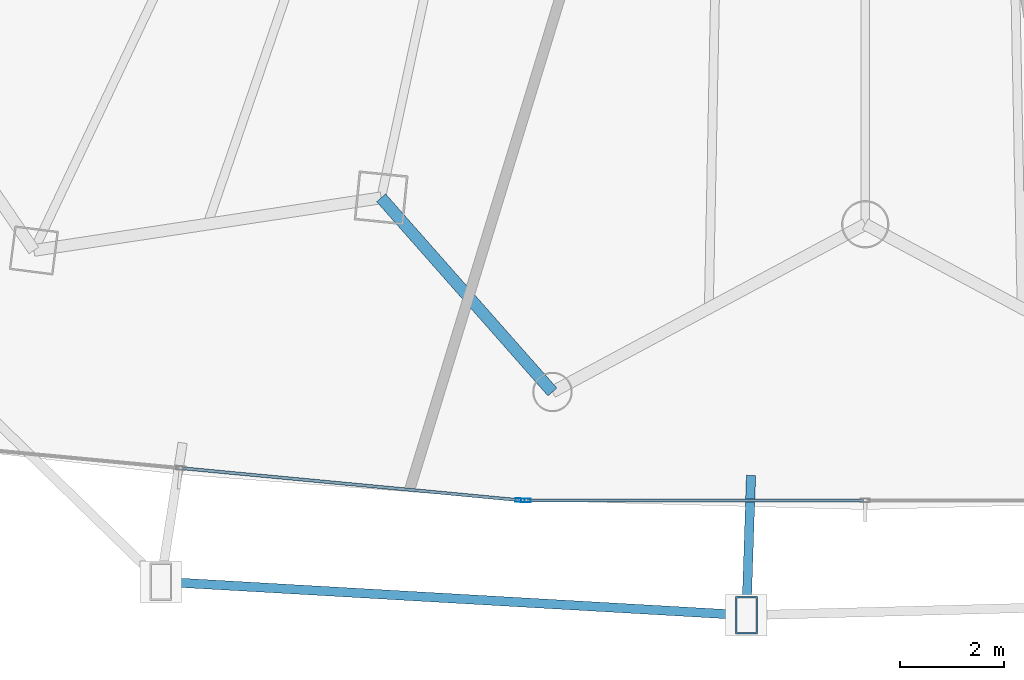
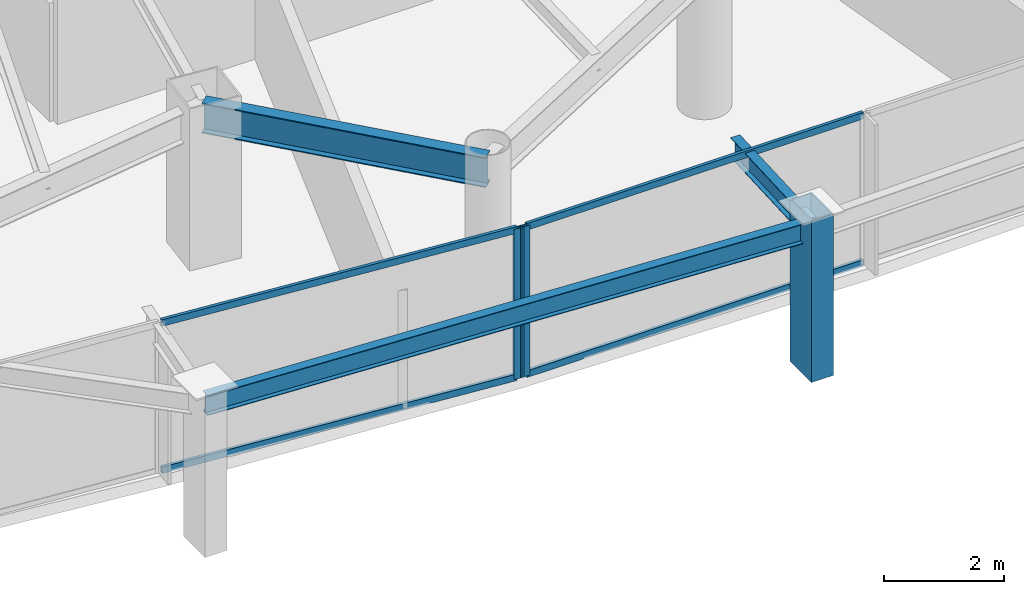
# One storey, part 6 of 38: 7 members, 3 beams, 2 elements without a shape of their own.
"""IFC4 building model written with IfcOpenShell, lengths in metres."""

from ifc_helpers import new_model, si_unit, direction, frame, origin, origin_2d, place, context, subcontext, project, spatial, hollow_rectangle, i_section, extrude, material, layer, layer_set, material_profile, profile_set, type_object, element, aggregate, save


model = new_model("IFC4")

# Units and contexts
model_context = context("Model", 3, precision=1e-05, world=origin(), true_north=direction((0.0, 1.0)))
body_context = subcontext(model_context, "Body", "Model", "MODEL_VIEW")
ifc_project = project(units=[si_unit("LENGTHUNIT", "METRE"), si_unit("AREAUNIT", "SQUARE_METRE"), si_unit("VOLUMEUNIT", "CUBIC_METRE"), si_unit("PLANEANGLEUNIT", "RADIAN"), si_unit("MASSUNIT", "GRAM", prefix="KILO")], contexts=[model_context])

# Site, building, storey
site_placement = place(None, origin())
site = spatial("IfcSite", under=ifc_project, at=site_placement, CompositionType="ELEMENT")
building_placement = place(site_placement, origin())
building = spatial("IfcBuilding", under=site, at=building_placement, Name="Orvanel Arch Residences", CompositionType="ELEMENT")
storey_placement = place(building_placement, frame((0.0, 0.0, 50.0)))
storey = spatial("IfcBuildingStorey", under=building, at=storey_placement, Name="L13", CompositionType="ELEMENT", Elevation=50.0)

# Member
ifc_material_1 = material(Name="Structural steel AS/NZS 3678 Grade 350", Category="steel")
ifc_material_profile_1 = material_profile(ifc_material_1, hollow_rectangle(XDim=0.419921875, YDim=0.719970703125, WallThickness=0.02490234375, at=origin_2d()), Name="RHS720x420x25")
ifc_profile_set_1 = profile_set([ifc_material_profile_1], Name="Structural steel AS/NZS 3678 Grade 350")
member_type_1 = type_object("IfcMemberType", Name="CH-720RHS-EXT", PredefinedType="CHORD", material=ifc_profile_set_1)
member_1_placement = place(storey_placement, frame((30.7041015625, -0.7080078125, 0.0), z_axis=(0.0, 0.0, 1.0), x_axis=(1.0, 0.0, 0.0)))
element("IfcMember", 1, at=member_1_placement, inside=storey, type_object=member_type_1, Name="L13 Outer Perimeter Frame Post 06", PredefinedType="CHORD", context=body_context, shape_type="SweptSolid", body=[
    extrude(hollow_rectangle(XDim=0.419921875, YDim=0.719970703125, WallThickness=0.02490234375, at=origin_2d()), origin(), (0.0, 0.0, 1.0), 3.300048828125),
])

# Curtain wall, member
ifc_material_2 = material(Name="Bronze-anodised aluminium AA6063-T6", Category="aluminium")
ifc_layer = layer(ifc_material_2, 0.179931640625)
ifc_layer_set = layer_set([ifc_layer], Name="Bronze-anodised aluminium AA6063-T6")
curtain_wall_type = type_object("IfcCurtainWallType", Name="CW2-LOW-SYS", PredefinedType="NOTDEFINED", material=ifc_layer_set)
curtain_wall_1_placement = place(storey_placement, origin())
curtain_wall_1 = element("IfcCurtainWall", 2, at=curtain_wall_1_placement, inside=storey, type_object=curtain_wall_type, Name="L13 CW2-LOW-SYS Unitised Curtain Wall", PredefinedType="NOTDEFINED")
ifc_material_profile_2 = material_profile(ifc_material_2, hollow_rectangle(XDim=0.070068359375, YDim=0.179931640625, WallThickness=0.00439453125, at=origin_2d()), Name="ALU180x70x4.5")
ifc_profile_set_2 = profile_set([ifc_material_profile_2], Name="Bronze-anodised aluminium AA6063-T6")
member_type_2 = type_object("IfcMemberType", Name="MUL-180x70", PredefinedType="MULLION", material=ifc_profile_set_2)
member_2_placement = place(storey_placement, frame((26.334228515625, 1.51318359375, 0.0), z_axis=(0.0, 0.0, 1.0), x_axis=(0.094246004419, 0.995548939355, 0.0)))
member_2 = element("IfcMember", 3, at=member_2_placement, type_object=member_type_2, Name="CW-S2 mullion 3", PredefinedType="MULLION", context=body_context, shape_type="SweptSolid", body=[
    extrude(hollow_rectangle(XDim=0.070068359375, YDim=0.179931640625, WallThickness=0.00439453125, at=origin_2d()), origin(), (0.0, 0.0, 1.0), 3.06005859375),
])

curtain_wall_2_placement = place(storey_placement, origin())
curtain_wall_2 = element("IfcCurtainWall", 4, at=curtain_wall_2_placement, inside=storey, type_object=curtain_wall_type, Name="L13 CW2-LOW-SYS Unitised Curtain Wall", PredefinedType="NOTDEFINED")
member_3_placement = place(storey_placement, frame((26.444091796875, 1.508056640625, 0.0), z_axis=(0.0, 0.0, 1.0), x_axis=(0.0, 1.0, 0.0)))
member_3 = element("IfcMember", 5, at=member_3_placement, type_object=member_type_2, Name="CW-S2 mullion 1", PredefinedType="MULLION", context=body_context, shape_type="SweptSolid", body=[
    extrude(hollow_rectangle(XDim=0.070068359375, YDim=0.179931640625, WallThickness=0.00439453125, at=origin_2d()), origin(), (0.0, 0.0, 1.0), 3.06005859375),
])

# Beams
ifc_material_3 = material(Name="Structural steel AS/NZS 3679.1 Grade 300 (300 MPa)", Category="steel")
ifc_material_profile_3 = material_profile(ifc_material_3, i_section(OverallWidth=0.177978515625, OverallDepth=0.406005859375, WebThickness=0.0078125, FlangeThickness=0.0126953125, at=origin_2d()), Name="410UB59.7")
ifc_profile_set_3 = profile_set([ifc_material_profile_3], Name="Structural steel AS/NZS 3679.1 Grade 300 (300 MPa)")
beam_type_1 = type_object("IfcBeamType", Name="OB-410UB-EXT", PredefinedType="SPANDREL", material=ifc_profile_set_3)
beam_1_placement = place(storey_placement, frame((19.39306640625, -0.06005859375, 2.85693359375), z_axis=(0.998363258929, -0.057190936525, 0.0), x_axis=(0.057190936525, 0.998363258929, 0.0)))
element("IfcBeam", 6, at=beam_1_placement, inside=storey, type_object=beam_type_1, Name="L13 Outer Perimeter Floor Ring Beam 05", PredefinedType="SPANDREL", context=body_context, shape_type="SweptSolid", body=[
    extrude(i_section(OverallWidth=0.177978515625, OverallDepth=0.406005859375, WebThickness=0.0078125, FlangeThickness=0.0126953125, at=origin_2d()), origin(), (0.0, 0.0, 1.0), 11.32958984375),
])
beam_2_placement = place(storey_placement, frame((30.7939453125, 1.993896484375, 2.85693359375), z_axis=(-0.033233642402, -0.999447609939, 0.0), x_axis=(0.999447609939, -0.033233642402, 0.0)))
element("IfcBeam", 7, at=beam_2_placement, inside=storey, type_object=beam_type_1, Name="L13 Outer Frame Radial Tie Beam 06", PredefinedType="SPANDREL", context=body_context, shape_type="SweptSolid", body=[
    extrude(i_section(OverallWidth=0.177978515625, OverallDepth=0.406005859375, WebThickness=0.0078125, FlangeThickness=0.0126953125, at=origin_2d()), origin(), (0.0, 0.0, 1.0), 2.703369140625),
])
ifc_material_profile_4 = material_profile(ifc_material_3, i_section(OverallWidth=0.22900390625, OverallDepth=0.612060546875, WebThickness=0.011962890625, FlangeThickness=0.01953125, at=origin_2d()), Name="610UB125")
ifc_profile_set_4 = profile_set([ifc_material_profile_4], Name="Structural steel AS/NZS 3679.1 Grade 300 (300 MPa)")
beam_type_2 = type_object("IfcBeamType", Name="SP-610UB", PredefinedType="SPANDREL", material=ifc_profile_set_4)
beam_3_placement = place(storey_placement, frame((23.64892578125, 7.35498046875, 2.75390625), z_axis=(0.661650698195, -0.749812212209, 0.0), x_axis=(0.749812212209, 0.661650698195, 0.0)))
element("IfcBeam", 8, at=beam_3_placement, inside=storey, type_object=beam_type_2, Name="L13 Perimeter Spandrel Beam 05", PredefinedType="SPANDREL", context=body_context, shape_type="SweptSolid", body=[
    extrude(i_section(OverallWidth=0.22900390625, OverallDepth=0.612060546875, WebThickness=0.011962890625, FlangeThickness=0.01953125, at=origin_2d()), origin(), (0.0, 0.0, 1.0), 5.001220703125),
])

# Member
ifc_material_profile_5 = material_profile(ifc_material_2, hollow_rectangle(XDim=0.06005859375, YDim=0.135009765625, WallThickness=0.00390625, at=origin_2d()), Name="ALU135x60x4")
ifc_profile_set_5 = profile_set([ifc_material_profile_5], Name="Bronze-anodised aluminium AA6063-T6")
member_type_3 = type_object("IfcMemberType", Name="TRN-135x60", PredefinedType="USERDEFINED", material=ifc_profile_set_5)
member_4_placement = place(storey_placement, frame((19.812255859375, 2.130615234375, 0.030029296875), z_axis=(0.995550369367, -0.094230897556, 0.0), x_axis=(0.094230897556, 0.995550369367, 0.0)))
member_4 = element("IfcMember", 9, at=member_4_placement, type_object=member_type_3, Name="CW-S2 transom 2.1", ObjectType="TRANSOM", PredefinedType="USERDEFINED", context=body_context, shape_type="SweptSolid", body=[
    extrude(hollow_rectangle(XDim=0.06005859375, YDim=0.135009765625, WallThickness=0.00390625, at=origin_2d()), origin(), (0.0, 0.0, 1.0), 6.51611328125),
])

member_5_placement = place(storey_placement, frame((19.812255859375, 2.130615234375, 3.030029296875), z_axis=(0.995550369367, -0.094230897556, 0.0), x_axis=(0.094230897556, 0.995550369367, 0.0)))
member_5 = element("IfcMember", 10, at=member_5_placement, type_object=member_type_3, Name="CW-S2 transom 2.2", ObjectType="TRANSOM", PredefinedType="USERDEFINED", context=body_context, shape_type="SweptSolid", body=[
    extrude(hollow_rectangle(XDim=0.06005859375, YDim=0.135009765625, WallThickness=0.00390625, at=origin_2d()), origin(), (0.0, 0.0, 1.0), 6.51611328125),
])

aggregate(curtain_wall_1, [member_2, member_4, member_5])

member_6_placement = place(storey_placement, frame((26.47900390625, 1.508056640625, 0.030029296875), z_axis=(1.0, 0.0, 0.0), x_axis=(0.0, 1.0, 0.0)))
member_6 = element("IfcMember", 11, at=member_6_placement, type_object=member_type_3, Name="CW-S2 transom 1.1", ObjectType="TRANSOM", PredefinedType="USERDEFINED", context=body_context, shape_type="SweptSolid", body=[
    extrude(hollow_rectangle(XDim=0.06005859375, YDim=0.135009765625, WallThickness=0.00390625, at=origin_2d()), origin(), (0.0, 0.0, 1.0), 6.486083984375),
])

member_7_placement = place(storey_placement, frame((26.47900390625, 1.508056640625, 3.030029296875), z_axis=(1.0, 0.0, 0.0), x_axis=(0.0, 1.0, 0.0)))
member_7 = element("IfcMember", 12, at=member_7_placement, type_object=member_type_3, Name="CW-S2 transom 1.2", ObjectType="TRANSOM", PredefinedType="USERDEFINED", context=body_context, shape_type="SweptSolid", body=[
    extrude(hollow_rectangle(XDim=0.06005859375, YDim=0.135009765625, WallThickness=0.00390625, at=origin_2d()), origin(), (0.0, 0.0, 1.0), 6.486083984375),
])

aggregate(curtain_wall_2, [member_3, member_6, member_7])

save(model, "model.ifc")
